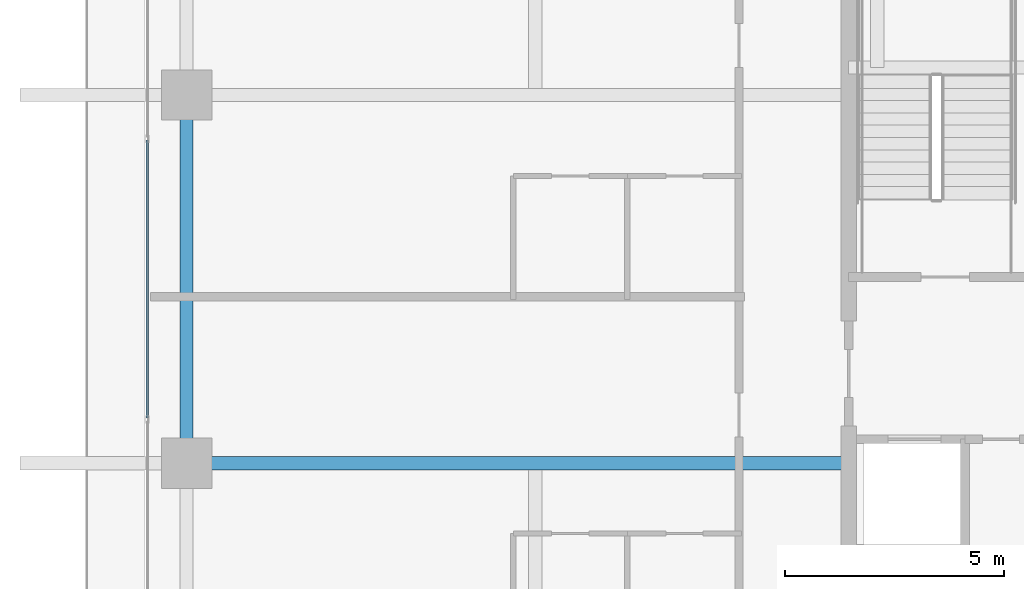
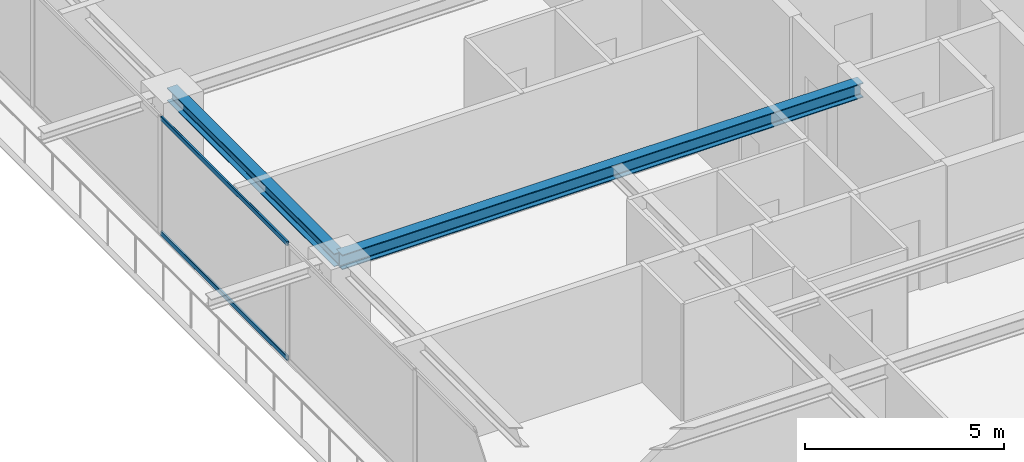
# One storey, part 8 of 37: 2 beams, 2 members, 1 element without a shape of its own.
"""IFC4 building model written with IfcOpenShell, lengths in metres."""

from ifc_helpers import new_model, si_unit, direction, frame, origin, origin_2d, place, context, subcontext, project, spatial, hollow_rectangle, i_section, extrude, source, transform, mapped, material, layer, layer_set, material_profile, profile_set, type_object, element, aggregate, save


model = new_model("IFC4")

# Units and contexts
model_context = context("Model", 3, precision=1e-05, world=origin(), true_north=direction((0.0, 1.0)))
body_context = subcontext(model_context, "Body", "Model", "MODEL_VIEW")
ifc_project = project(units=[si_unit("LENGTHUNIT", "METRE"), si_unit("AREAUNIT", "SQUARE_METRE"), si_unit("VOLUMEUNIT", "CUBIC_METRE"), si_unit("PLANEANGLEUNIT", "RADIAN"), si_unit("MASSUNIT", "GRAM", prefix="KILO")], contexts=[model_context])

# Site, building, storey
site_placement = place(None, origin())
site = spatial("IfcSite", under=ifc_project, at=site_placement, CompositionType="ELEMENT")
building_placement = place(site_placement, origin())
building = spatial("IfcBuilding", under=site, at=building_placement, Name="Serunith Strait Residences", CompositionType="ELEMENT")
storey_placement = place(building_placement, frame((0.0, 0.0, 248.949951171875)))
storey = spatial("IfcBuildingStorey", under=building, at=storey_placement, Name="L62", CompositionType="ELEMENT", Elevation=248.949951171875)

# Beams
ifc_material_1 = material(Name="Steel S355J2", Category="steel")
ifc_material_profile_1 = material_profile(ifc_material_1, i_section(OverallWidth=0.300048828125, OverallDepth=0.449951171875, WebThickness=0.013916015625, FlangeThickness=0.02587890625, FilletRadius=0.027099609375, at=origin_2d()), Name="HEB 450")
ifc_profile_set_1 = profile_set([ifc_material_profile_1], Name="Steel S355J2")
beam_type_1 = type_object("IfcBeamType", Name="BM-HEB450", PredefinedType="BEAM", material=ifc_profile_set_1)
shared_shape_1 = source(origin(), body_context, "Body", "SweptSolid", [
    extrude(i_section(OverallWidth=0.300048828125, OverallDepth=0.449951171875, WebThickness=0.013916015625, FlangeThickness=0.02587890625, FilletRadius=0.027099609375, at=origin_2d()), origin(), (0.0, 0.0, 1.0), 15.099853515625),
])
beam_1_placement = place(storey_placement, frame((23.39990234375, 21.0, 3.362060546875), z_axis=(-1.0, 0.0, 0.0), x_axis=(0.0, -1.0, 0.0)))
element("IfcBeam", 1, at=beam_1_placement, inside=storey, type_object=beam_type_1, Name="L62 Primary Floor Girder TC-W2", PredefinedType="BEAM", context=body_context, shape_type="MappedRepresentation", body=[
    mapped(shared_shape_1, transform((0.0, 0.0, 0.0), scale=1.0)),
])
ifc_material_profile_2 = material_profile(ifc_material_1, i_section(OverallWidth=0.300048828125, OverallDepth=0.39990234375, WebThickness=0.013427734375, FlangeThickness=0.02392578125, FilletRadius=0.027099609375, at=origin_2d()), Name="HEB 400")
ifc_profile_set_2 = profile_set([ifc_material_profile_2], Name="Steel S355J2")
beam_type_2 = type_object("IfcBeamType", Name="BM-HEB400", PredefinedType="BEAM", material=ifc_profile_set_2)
shared_shape_2 = source(origin(), body_context, "Body", "SweptSolid", [
    extrude(i_section(OverallWidth=0.300048828125, OverallDepth=0.39990234375, WebThickness=0.013427734375, FlangeThickness=0.02392578125, FilletRadius=0.027099609375, at=origin_2d()), origin(), (0.0, 0.0, 1.0), 8.39990234375),
])
beam_2_placement = place(storey_placement, frame((8.300048828125, 29.39990234375, 3.386962890625), z_axis=(0.0, -1.0, 0.0), x_axis=(1.0, 0.0, 0.0)))
element("IfcBeam", 2, at=beam_2_placement, inside=storey, type_object=beam_type_2, Name="L62 Perimeter Ring Beam 14", PredefinedType="BEAM", context=body_context, shape_type="MappedRepresentation", body=[
    mapped(shared_shape_2, transform((0.0, 0.0, 0.0), scale=1.0)),
])

# Curtain wall, members
ifc_material_2 = material(Name="Pale-Champagne Anodised Aluminium", Category="aluminium")
ifc_layer = layer(ifc_material_2, 0.199951171875, Name="Pale-Champagne Anodised Aluminium")
ifc_layer_set = layer_set([ifc_layer], Name="Pale-Champagne Anodised Aluminium")
curtain_wall_type = type_object("IfcCurtainWallType", Name="CW-SYS4", PredefinedType="NOTDEFINED", material=ifc_layer_set)
curtain_wall_placement = place(storey_placement, origin())
curtain_wall = element("IfcCurtainWall", 3, at=curtain_wall_placement, inside=storey, type_object=curtain_wall_type, Name="L62 W Unitised Fritted Curtain Wall", PredefinedType="NOTDEFINED")
ifc_material_profile_3 = material_profile(ifc_material_2, hollow_rectangle(XDim=0.06005859375, YDim=0.139892578125, WallThickness=0.00341796875, InnerFilletRadius=0.00537109375, OuterFilletRadius=0.0087890625, at=origin_2d()), Name="ALU 140x60x3.5")
ifc_profile_set_3 = profile_set([ifc_material_profile_3], Name="Pale-Champagne Anodised Aluminium")
member_type = type_object("IfcMemberType", Name="CW-SYS4-TRAN", PredefinedType="USERDEFINED", material=ifc_profile_set_3)
shared_shape_3 = source(origin(), body_context, "Body", "SweptSolid", [
    extrude(hollow_rectangle(XDim=0.06005859375, YDim=0.139892578125, WallThickness=0.00341796875, InnerFilletRadius=0.00537109375, OuterFilletRadius=0.0087890625, at=origin_2d()), origin(), (0.0, 0.0, 1.0), 6.3349609375),
])
member_1_placement = place(storey_placement, frame((7.39990234375, 28.367431640625, 0.030029296875), z_axis=(0.0, -1.0, 0.0), x_axis=(1.0, 0.0, 0.0)))
member_1 = element("IfcMember", 4, at=member_1_placement, type_object=member_type, Name="CW-4 transom 3.1", ObjectType="TRANSOM", PredefinedType="USERDEFINED", context=body_context, shape_type="MappedRepresentation", body=[
    mapped(shared_shape_3, transform((0.0, 0.0, 0.0), scale=1.0)),
])
member_2_placement = place(storey_placement, frame((7.39990234375, 28.367431640625, 3.545166015625), z_axis=(0.0, -1.0, 0.0), x_axis=(1.0, 0.0, 0.0)))
member_2 = element("IfcMember", 5, at=member_2_placement, type_object=member_type, Name="CW-4 transom 3.2", ObjectType="TRANSOM", PredefinedType="USERDEFINED", context=body_context, shape_type="MappedRepresentation", body=[
    mapped(shared_shape_3, transform((0.0, 0.0, 0.0), scale=1.0)),
])
aggregate(curtain_wall, [member_1, member_2])

save(model, "model.ifc")
